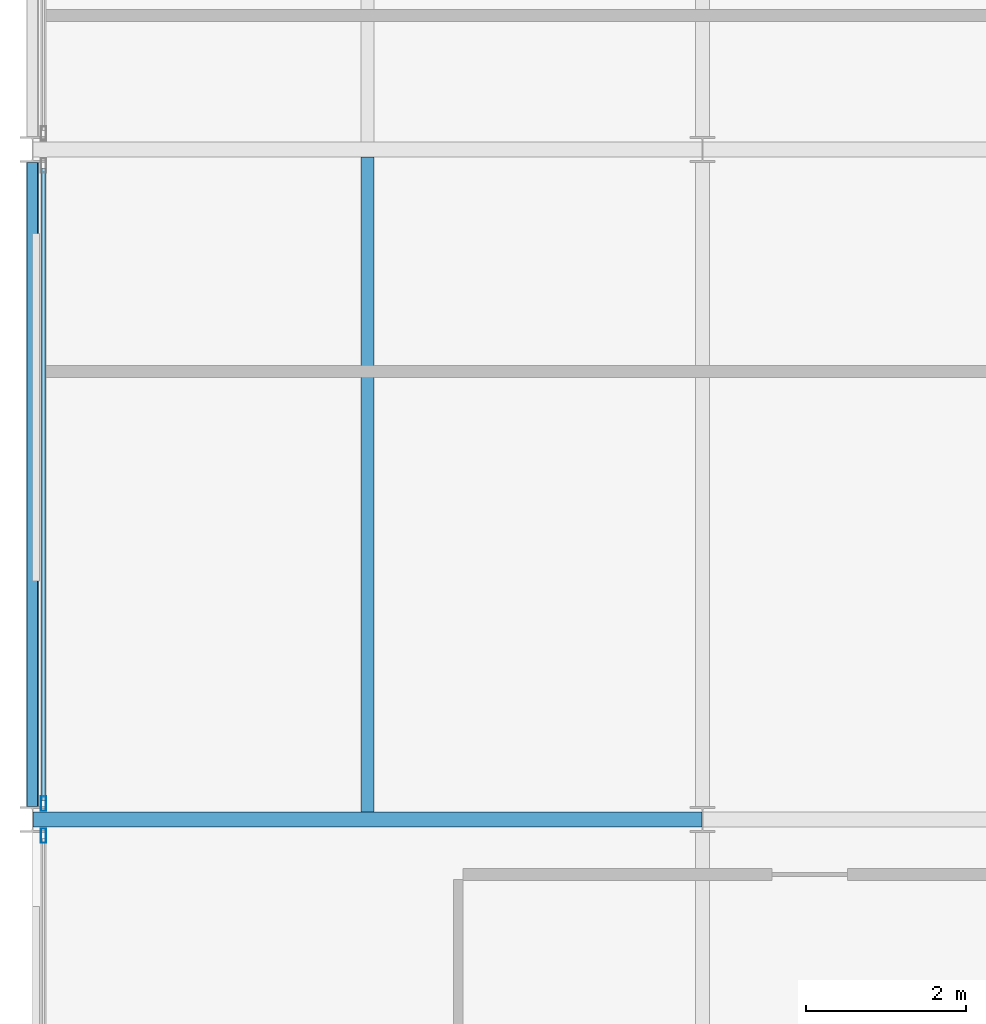
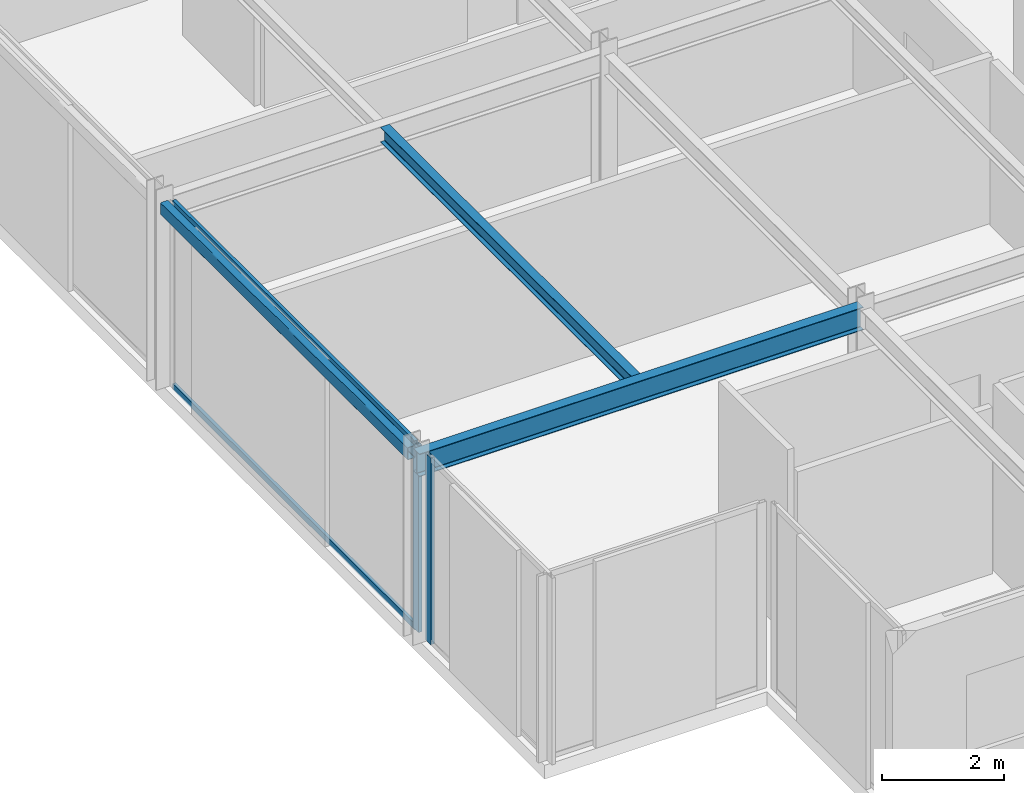
# One storey, part 5 of 24: 4 members, 3 beams, 2 elements without a shape of their own.
"""IFC4 building model written with IfcOpenShell, lengths in metres."""

from ifc_helpers import new_model, si_unit, direction, frame, origin, origin_2d, place, context, subcontext, project, spatial, hollow_rectangle, i_section, extrude, material, layer, layer_set, material_profile, profile_set, type_object, element, aggregate, save


model = new_model("IFC4")

# Units and contexts
model_context = context("Model", 3, precision=1e-05, world=origin(), true_north=direction((0.0, 1.0)))
body_context = subcontext(model_context, "Body", "Model", "MODEL_VIEW")
ifc_project = project(units=[si_unit("LENGTHUNIT", "METRE"), si_unit("AREAUNIT", "SQUARE_METRE"), si_unit("VOLUMEUNIT", "CUBIC_METRE"), si_unit("PLANEANGLEUNIT", "RADIAN"), si_unit("MASSUNIT", "GRAM", prefix="KILO")], contexts=[model_context])

# Site, building, storey
site_placement = place(None, origin())
site = spatial("IfcSite", under=ifc_project, at=site_placement, CompositionType="ELEMENT")
building_placement = place(site_placement, origin())
building = spatial("IfcBuilding", under=site, at=building_placement, Name="Nerrivon Quay Data Exchange", CompositionType="ELEMENT")
storey_placement = place(building_placement, frame((0.0, 0.0, 298.199951171875)))
storey = spatial("IfcBuildingStorey", under=building, at=storey_placement, Name="L71", CompositionType="ELEMENT", Elevation=298.199951171875)

# Beams
ifc_material_1 = material(Name="Steel Grade 350", Category="steel")
ifc_material_profile_1 = material_profile(ifc_material_1, i_section(OverallWidth=0.18994140625, OverallDepth=0.4541015625, WebThickness=0.008544921875, FlangeThickness=0.0126953125, FilletRadius=0.011474609375, at=origin_2d()), Name="460UB67.1")
ifc_profile_set_1 = profile_set([ifc_material_profile_1], Name="Steel Grade 350")
beam_type_1 = type_object("IfcBeamType", Name="BM-G6-460UB67", PredefinedType="BEAM", material=ifc_profile_set_1)
beam_1_placement = place(storey_placement, frame((0.0078125, 8.39990234375, 3.498046875), z_axis=(1.0, 0.0, 0.0), x_axis=(0.0, 1.0, 0.0)))
element("IfcBeam", 1, at=beam_1_placement, inside=storey, type_object=beam_type_1, Name="L71 EW Girder Y=8.4 (0.0..8.4)", PredefinedType="BEAM", context=body_context, shape_type="SweptSolid", body=[
    extrude(i_section(OverallWidth=0.18994140625, OverallDepth=0.4541015625, WebThickness=0.008544921875, FlangeThickness=0.0126953125, FilletRadius=0.011474609375, at=origin_2d()), origin(), (0.0, 0.0, 1.0), 8.38427734375),
])
ifc_material_profile_2 = material_profile(ifc_material_1, i_section(OverallWidth=0.1650390625, OverallDepth=0.303955078125, WebThickness=0.006103515625, FlangeThickness=0.01025390625, FilletRadius=0.011474609375, at=origin_2d()), Name="310UB40.4")
ifc_profile_set_2 = profile_set([ifc_material_profile_2], Name="Steel Grade 350")
beam_type_2 = type_object("IfcBeamType", Name="BM-J6-310UB40", PredefinedType="JOIST", material=ifc_profile_set_2)
beam_2_placement = place(storey_placement, frame((4.199951171875, 8.4951171875, 3.572998046875), z_axis=(0.0, 1.0, 0.0), x_axis=(-1.0, 0.0, 0.0)))
element("IfcBeam", 2, at=beam_2_placement, inside=storey, type_object=beam_type_2, Name="L71 Secondary Joist X=4.2 (8.4..16.8)", PredefinedType="JOIST", context=body_context, shape_type="SweptSolid", body=[
    extrude(i_section(OverallWidth=0.1650390625, OverallDepth=0.303955078125, WebThickness=0.006103515625, FlangeThickness=0.01025390625, FilletRadius=0.011474609375, at=origin_2d()), origin(), (0.0, 0.0, 1.0), 8.2099609375),
])
ifc_material_2 = material(Name="Steel Grade C350L0 (350 MPa)", Category="steel")
ifc_material_profile_3 = material_profile(ifc_material_2, hollow_rectangle(XDim=0.14990234375, YDim=0.25, WallThickness=0.009033203125, InnerFilletRadius=0.013427734375, OuterFilletRadius=0.0224609375, at=origin_2d()), Name="250x150x9.0RHS")
ifc_profile_set_3 = profile_set([ifc_material_profile_3], Name="Steel Grade C350L0 (350 MPa)")
beam_type_3 = type_object("IfcBeamType", Name="BM-SP4-250x150RHS", PredefinedType="SPANDREL", material=ifc_profile_set_3)
beam_3_placement = place(storey_placement, frame((0.0, 8.5634765625, 3.60009765625), z_axis=(0.0, 1.0, 0.0), x_axis=(-1.0, 0.0, 0.0)))
element("IfcBeam", 3, at=beam_3_placement, inside=storey, type_object=beam_type_3, Name="L71 NS Girder X=0.0 (8.4..16.8)", PredefinedType="SPANDREL", context=body_context, shape_type="SweptSolid", body=[
    extrude(hollow_rectangle(XDim=0.14990234375, YDim=0.25, WallThickness=0.009033203125, InnerFilletRadius=0.013427734375, OuterFilletRadius=0.0224609375, at=origin_2d()), origin(), (0.0, 0.0, 1.0), 8.072998046875),
])

# Curtain wall, member
ifc_material_3 = material(Name="Anodised aluminium 6063-T6", Category="aluminium")
ifc_layer = layer(ifc_material_3, 0.195068359375)
ifc_layer_set = layer_set([ifc_layer], Name="Anodised aluminium 6063-T6")
curtain_wall_type = type_object("IfcCurtainWallType", Name="CW-SYS-06", PredefinedType="NOTDEFINED", material=ifc_layer_set)
curtain_wall_1_placement = place(storey_placement, origin())
curtain_wall_1 = element("IfcCurtainWall", 4, at=curtain_wall_1_placement, inside=storey, type_object=curtain_wall_type, Name="L71 Unitised Curtain Wall 8", PredefinedType="NOTDEFINED")
ifc_material_profile_4 = material_profile(ifc_material_3, hollow_rectangle(XDim=0.06494140625, YDim=0.179931640625, WallThickness=0.00341796875, at=origin_2d()), Name="ALU-MULL-180x65")
ifc_profile_set_4 = profile_set([ifc_material_profile_4], Name="Anodised aluminium 6063-T6")
member_type_1 = type_object("IfcMemberType", Name="CWM-180x65", PredefinedType="MULLION", material=ifc_profile_set_4)
member_1_placement = place(storey_placement, frame((0.139892578125, 8.198974609375, 0.0), z_axis=(0.0, 0.0, 1.0), x_axis=(-1.0, 0.0, 0.0)))
member_1 = element("IfcMember", 5, at=member_1_placement, type_object=member_type_1, Name="CW06 mullion 2", PredefinedType="MULLION", context=body_context, shape_type="SweptSolid", body=[
    extrude(hollow_rectangle(XDim=0.06494140625, YDim=0.179931640625, WallThickness=0.00341796875, at=origin_2d()), origin(), (0.0, 0.0, 1.0), 3.72509765625),
])
aggregate(curtain_wall_1, [member_1])

# Curtain wall, members
curtain_wall_2_placement = place(storey_placement, origin())
curtain_wall_2 = element("IfcCurtainWall", 6, at=curtain_wall_2_placement, inside=storey, type_object=curtain_wall_type, Name="L71 Unitised Curtain Wall 9", PredefinedType="NOTDEFINED")
member_2_placement = place(storey_placement, frame((0.139892578125, 8.60107421875, 0.0), z_axis=(0.0, 0.0, 1.0), x_axis=(-1.0, 0.0, 0.0)))
member_2 = element("IfcMember", 7, at=member_2_placement, type_object=member_type_1, Name="CW06 mullion 1", PredefinedType="MULLION", context=body_context, shape_type="SweptSolid", body=[
    extrude(hollow_rectangle(XDim=0.06494140625, YDim=0.179931640625, WallThickness=0.00341796875, at=origin_2d()), origin(), (0.0, 0.0, 1.0), 3.72509765625),
])
ifc_material_profile_5 = material_profile(ifc_material_3, hollow_rectangle(XDim=0.06005859375, YDim=0.1201171875, WallThickness=0.003173828125, at=origin_2d()), Name="ALU-TRAN-120x60")
ifc_profile_set_5 = profile_set([ifc_material_profile_5], Name="Anodised aluminium 6063-T6")
member_type_2 = type_object("IfcMemberType", Name="CWT-120x60", PredefinedType="USERDEFINED", material=ifc_profile_set_5)
member_3_placement = place(storey_placement, frame((0.139892578125, 8.638427734375, 0.032470703125), z_axis=(0.0, 1.0, 0.0), x_axis=(-1.0, 0.0, 0.0)))
member_3 = element("IfcMember", 8, at=member_3_placement, type_object=member_type_2, Name="CW06 transom 1.1", ObjectType="TRANSOM", PredefinedType="USERDEFINED", context=body_context, shape_type="SweptSolid", body=[
    extrude(hollow_rectangle(XDim=0.06005859375, YDim=0.1201171875, WallThickness=0.003173828125, at=origin_2d()), origin(), (0.0, 0.0, 1.0), 7.923095703125),
])
member_4_placement = place(storey_placement, frame((0.139892578125, 8.638427734375, 3.692626953125), z_axis=(0.0, 1.0, 0.0), x_axis=(-1.0, 0.0, 0.0)))
member_4 = element("IfcMember", 9, at=member_4_placement, type_object=member_type_2, Name="CW06 transom 1.2", ObjectType="TRANSOM", PredefinedType="USERDEFINED", context=body_context, shape_type="SweptSolid", body=[
    extrude(hollow_rectangle(XDim=0.06005859375, YDim=0.1201171875, WallThickness=0.003173828125, at=origin_2d()), origin(), (0.0, 0.0, 1.0), 7.923095703125),
])
aggregate(curtain_wall_2, [member_2, member_3, member_4])

save(model, "model.ifc")
